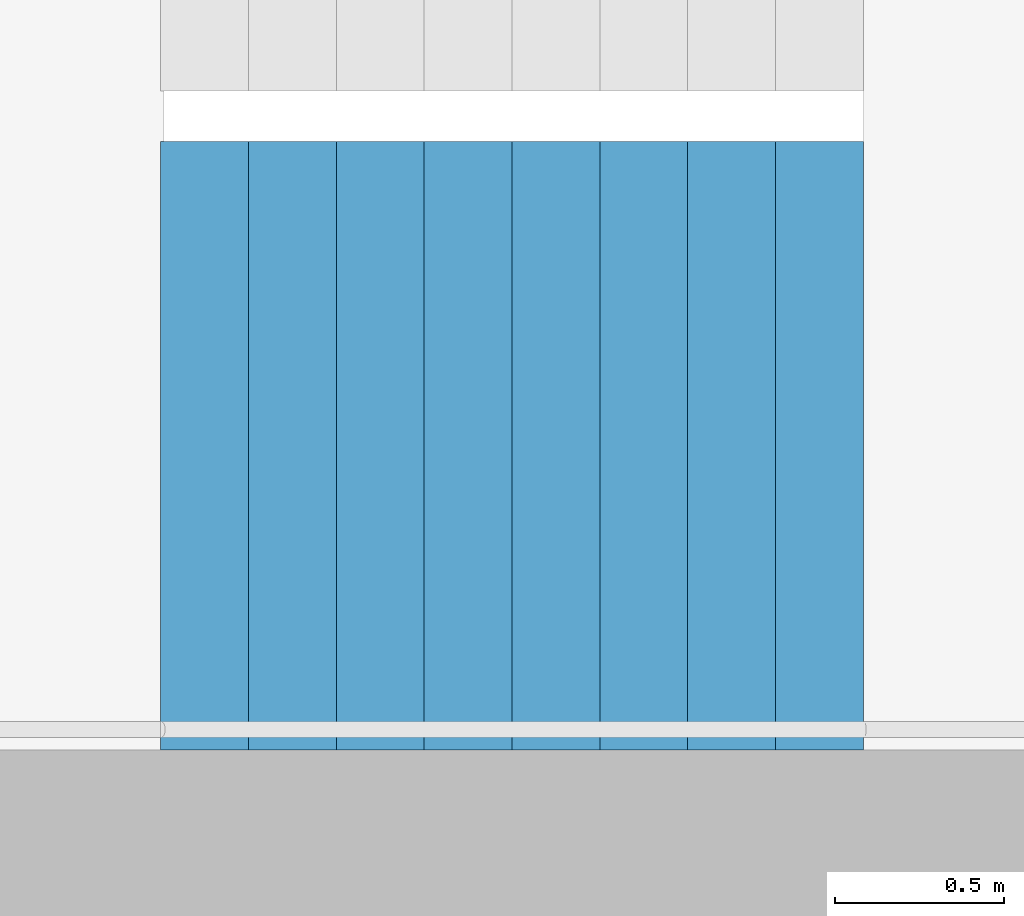
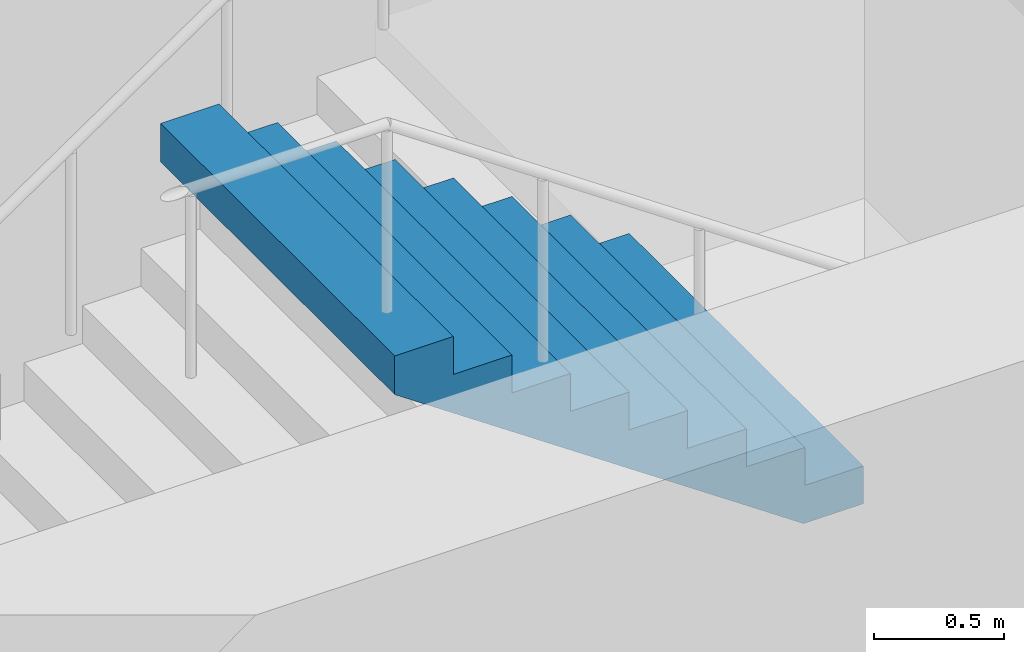
# One storey, part 23 of 27: 1 stair flight, 1 element without a shape of its own.
"""IFC4 building model written with IfcOpenShell, lengths in metres."""

from ifc_helpers import new_model, si_unit, direction, frame, origin, place, context, subcontext, project, spatial, triangles, material, type_object, element, aggregate, save


model = new_model("IFC4")

# Units and contexts
model_context = context("Model", 3, precision=1e-05, world=origin(), true_north=direction((0.0, 1.0)))
body_context = subcontext(model_context, "Body", "Model", "MODEL_VIEW")
ifc_project = project(units=[si_unit("LENGTHUNIT", "METRE"), si_unit("AREAUNIT", "SQUARE_METRE"), si_unit("VOLUMEUNIT", "CUBIC_METRE"), si_unit("PLANEANGLEUNIT", "RADIAN"), si_unit("MASSUNIT", "GRAM", prefix="KILO")], contexts=[model_context])

# Site, building, storey
site_placement = place(None, origin())
site = spatial("IfcSite", under=ifc_project, at=site_placement, CompositionType="ELEMENT")
building_placement = place(site_placement, origin())
building = spatial("IfcBuilding", under=site, at=building_placement, Name="Hakoniwa Tower and Hamabe Station Hall", CompositionType="ELEMENT")
storey_placement = place(building_placement, frame((0.0, 0.0, 261.39990234375)))
storey = spatial("IfcBuildingStorey", under=building, at=storey_placement, Name="L74", CompositionType="ELEMENT", Elevation=261.39990234375)

# Stair, stair flight
ifc_material_1 = material(Name="Concrete C40", Category="concrete")
stair_type = type_object("IfcStairType", Name="ESCAPE STAIR 1800", PredefinedType="HALF_TURN_STAIR", material=ifc_material_1)
stair_placement = place(storey_placement, origin())
stair = element("IfcStair", 1, at=stair_placement, inside=storey, type_object=stair_type, Name="Escape stair ST-4 L74", PredefinedType="HALF_TURN_STAIR")
ifc_material_2 = material(Name="Concrete C40", Category="concrete")
stair_flight_type = type_object("IfcStairFlightType", Name="STAIR FLIGHT 1800", PredefinedType="STRAIGHT", material=ifc_material_2)
stair_flight_placement = place(storey_placement, frame((25.47998046875, -6.60009765625, 1.60009765625), z_axis=(0.0, 0.0, 1.0), x_axis=(-1.0, 0.0, 0.0)))
stair_flight = element("IfcStairFlight", 2, at=stair_flight_placement, type_object=stair_flight_type, Name="ST-4 flight 2", NumberOfRisers=9, NumberOfTreads=8, PredefinedType="STRAIGHT", RiserHeight=0.177777778, TreadLength=0.26, context=body_context, shape_type="Tessellation", body=[
    triangles([(0.0, 0.89990234375, 0.0), (0.260009765625, 0.89990234375, 0.0), (0.265625, 0.89990234375, 0.0), (0.52001953125, 0.89990234375, 0.174072265625), (0.780029296875, 0.89990234375, 0.351806640625), (1.0400390625, 0.89990234375, 0.529541015625), (1.300048828125, 0.89990234375, 0.707275390625), (1.56005859375, 0.89990234375, 0.885009765625), (1.820068359375, 0.89990234375, 1.062744140625), (2.080078125, 0.89990234375, 1.24072265625), (2.080078125, 0.89990234375, 1.422119140625), (1.820068359375, 0.89990234375, 1.422119140625), (1.820068359375, 0.89990234375, 1.244384765625), (1.56005859375, 0.89990234375, 1.244384765625), (1.56005859375, 0.89990234375, 1.066650390625), (1.300048828125, 0.89990234375, 1.066650390625), (1.300048828125, 0.89990234375, 0.888916015625), (1.0400390625, 0.89990234375, 0.888916015625), (1.0400390625, 0.89990234375, 0.711181640625), (0.780029296875, 0.89990234375, 0.711181640625), (0.780029296875, 0.89990234375, 0.533447265625), (0.52001953125, 0.89990234375, 0.533447265625), (0.52001953125, 0.89990234375, 0.35546875), (0.265625, 0.89990234375, 0.35546875), (0.260009765625, 0.89990234375, 0.35546875), (0.260009765625, 0.89990234375, 0.177734375), (0.0, 0.89990234375, 0.177734375), (0.0, 0.06005859375, 0.0), (0.260009765625, 0.06005859375, 0.0), (0.265625, 0.06005859375, 0.0), (0.52001953125, 0.06005859375, 0.174072265625), (0.780029296875, 0.06005859375, 0.351806640625), (1.0400390625, 0.06005859375, 0.529541015625), (1.300048828125, 0.06005859375, 0.707275390625), (1.56005859375, 0.06005859375, 0.885009765625), (1.820068359375, 0.06005859375, 1.062744140625), (2.080078125, 0.06005859375, 1.24072265625), (2.080078125, 0.06005859375, 1.422119140625), (1.820068359375, 0.06005859375, 1.422119140625), (1.820068359375, 0.06005859375, 1.244384765625), (1.56005859375, 0.06005859375, 1.244384765625), (1.56005859375, 0.06005859375, 1.066650390625), (1.300048828125, 0.06005859375, 1.066650390625), (1.300048828125, 0.06005859375, 0.888916015625), (1.0400390625, 0.06005859375, 0.888916015625), (1.0400390625, 0.06005859375, 0.711181640625), (0.780029296875, 0.06005859375, 0.711181640625), (0.780029296875, 0.06005859375, 0.533447265625), (0.52001953125, 0.06005859375, 0.533447265625), (0.52001953125, 0.06005859375, 0.35546875), (0.265625, 0.06005859375, 0.35546875), (0.260009765625, 0.06005859375, 0.35546875), (0.260009765625, 0.06005859375, 0.177734375), (0.0, 0.06005859375, 0.177734375), (0.0, 0.04296875, 0.0), (0.260009765625, 0.04296875, 0.0), (0.265625, 0.04296875, 0.0), (0.52001953125, 0.04296875, 0.174072265625), (0.780029296875, 0.04296875, 0.351806640625), (1.0400390625, 0.04296875, 0.529541015625), (1.300048828125, 0.04296875, 0.707275390625), (1.56005859375, 0.04296875, 0.885009765625), (1.820068359375, 0.04296875, 1.062744140625), (2.080078125, 0.04296875, 1.24072265625), (2.080078125, 0.04296875, 1.422119140625), (1.820068359375, 0.04296875, 1.422119140625), (1.820068359375, 0.04296875, 1.244384765625), (1.56005859375, 0.04296875, 1.244384765625), (1.56005859375, 0.04296875, 1.066650390625), (1.300048828125, 0.04296875, 1.066650390625), (1.300048828125, 0.04296875, 0.888916015625), (1.0400390625, 0.04296875, 0.888916015625), (1.0400390625, 0.04296875, 0.711181640625), (0.780029296875, 0.04296875, 0.711181640625), (0.780029296875, 0.04296875, 0.533447265625), (0.52001953125, 0.04296875, 0.533447265625), (0.52001953125, 0.04296875, 0.35546875), (0.265625, 0.04296875, 0.35546875), (0.260009765625, 0.04296875, 0.35546875), (0.260009765625, 0.04296875, 0.177734375), (0.0, 0.04296875, 0.177734375), (0.0, 0.025634765625, 0.0), (0.260009765625, 0.025634765625, 0.0), (0.265625, 0.025634765625, 0.0), (0.52001953125, 0.025634765625, 0.174072265625), (0.780029296875, 0.025634765625, 0.351806640625), (1.0400390625, 0.025634765625, 0.529541015625), (1.300048828125, 0.025634765625, 0.707275390625), (1.56005859375, 0.025634765625, 0.885009765625), (1.820068359375, 0.025634765625, 1.062744140625), (2.080078125, 0.025634765625, 1.24072265625), (2.080078125, 0.025634765625, 1.422119140625), (1.820068359375, 0.025634765625, 1.422119140625), (1.820068359375, 0.025634765625, 1.244384765625), (1.56005859375, 0.025634765625, 1.244384765625), (1.56005859375, 0.025634765625, 1.066650390625), (1.300048828125, 0.025634765625, 1.066650390625), (1.300048828125, 0.025634765625, 0.888916015625), (1.0400390625, 0.025634765625, 0.888916015625), (1.0400390625, 0.025634765625, 0.711181640625), (0.780029296875, 0.025634765625, 0.711181640625), (0.780029296875, 0.025634765625, 0.533447265625), (0.52001953125, 0.025634765625, 0.533447265625), (0.52001953125, 0.025634765625, 0.35546875), (0.265625, 0.025634765625, 0.35546875), (0.260009765625, 0.025634765625, 0.35546875), (0.260009765625, 0.025634765625, 0.177734375), (0.0, 0.025634765625, 0.177734375), (0.0, 0.008544921875, 0.0), (0.260009765625, 0.008544921875, 0.0), (0.265625, 0.008544921875, 0.0), (0.52001953125, 0.008544921875, 0.174072265625), (0.780029296875, 0.008544921875, 0.351806640625), (1.0400390625, 0.008544921875, 0.529541015625), (1.300048828125, 0.008544921875, 0.707275390625), (1.56005859375, 0.008544921875, 0.885009765625), (1.820068359375, 0.008544921875, 1.062744140625), (2.080078125, 0.008544921875, 1.24072265625), (2.080078125, 0.008544921875, 1.422119140625), (1.820068359375, 0.008544921875, 1.422119140625), (1.820068359375, 0.008544921875, 1.244384765625), (1.56005859375, 0.008544921875, 1.244384765625), (1.56005859375, 0.008544921875, 1.066650390625), (1.300048828125, 0.008544921875, 1.066650390625), (1.300048828125, 0.008544921875, 0.888916015625), (1.0400390625, 0.008544921875, 0.888916015625), (1.0400390625, 0.008544921875, 0.711181640625), (0.780029296875, 0.008544921875, 0.711181640625), (0.780029296875, 0.008544921875, 0.533447265625), (0.52001953125, 0.008544921875, 0.533447265625), (0.52001953125, 0.008544921875, 0.35546875), (0.265625, 0.008544921875, 0.35546875), (0.260009765625, 0.008544921875, 0.35546875), (0.260009765625, 0.008544921875, 0.177734375), (0.0, 0.008544921875, 0.177734375), (0.0, -0.008544921875, 0.0), (0.260009765625, -0.008544921875, 0.0), (0.265625, -0.008544921875, 0.0), (0.52001953125, -0.008544921875, 0.174072265625), (0.780029296875, -0.008544921875, 0.351806640625), (1.0400390625, -0.008544921875, 0.529541015625), (1.300048828125, -0.008544921875, 0.707275390625), (1.56005859375, -0.008544921875, 0.885009765625), (1.820068359375, -0.008544921875, 1.062744140625), (2.080078125, -0.008544921875, 1.24072265625), (2.080078125, -0.008544921875, 1.422119140625), (1.820068359375, -0.008544921875, 1.422119140625), (1.820068359375, -0.008544921875, 1.244384765625), (1.56005859375, -0.008544921875, 1.244384765625), (1.56005859375, -0.008544921875, 1.066650390625), (1.300048828125, -0.008544921875, 1.066650390625), (1.300048828125, -0.008544921875, 0.888916015625), (1.0400390625, -0.008544921875, 0.888916015625), (1.0400390625, -0.008544921875, 0.711181640625), (0.780029296875, -0.008544921875, 0.711181640625), (0.780029296875, -0.008544921875, 0.533447265625), (0.52001953125, -0.008544921875, 0.533447265625), (0.52001953125, -0.008544921875, 0.35546875), (0.265625, -0.008544921875, 0.35546875), (0.260009765625, -0.008544921875, 0.35546875), (0.260009765625, -0.008544921875, 0.177734375), (0.0, -0.008544921875, 0.177734375), (0.0, -0.025634765625, 0.0), (0.260009765625, -0.025634765625, 0.0), (0.265625, -0.025634765625, 0.0), (0.52001953125, -0.025634765625, 0.174072265625), (0.780029296875, -0.025634765625, 0.351806640625), (1.0400390625, -0.025634765625, 0.529541015625), (1.300048828125, -0.025634765625, 0.707275390625), (1.56005859375, -0.025634765625, 0.885009765625), (1.820068359375, -0.025634765625, 1.062744140625), (2.080078125, -0.025634765625, 1.24072265625), (2.080078125, -0.025634765625, 1.422119140625), (1.820068359375, -0.025634765625, 1.422119140625), (1.820068359375, -0.025634765625, 1.244384765625), (1.56005859375, -0.025634765625, 1.244384765625), (1.56005859375, -0.025634765625, 1.066650390625), (1.300048828125, -0.025634765625, 1.066650390625), (1.300048828125, -0.025634765625, 0.888916015625), (1.0400390625, -0.025634765625, 0.888916015625), (1.0400390625, -0.025634765625, 0.711181640625), (0.780029296875, -0.025634765625, 0.711181640625), (0.780029296875, -0.025634765625, 0.533447265625), (0.52001953125, -0.025634765625, 0.533447265625), (0.52001953125, -0.025634765625, 0.35546875), (0.265625, -0.025634765625, 0.35546875), (0.260009765625, -0.025634765625, 0.35546875), (0.260009765625, -0.025634765625, 0.177734375), (0.0, -0.025634765625, 0.177734375), (0.0, -0.04296875, 0.0), (0.260009765625, -0.04296875, 0.0), (0.265625, -0.04296875, 0.0), (0.52001953125, -0.04296875, 0.174072265625), (0.780029296875, -0.04296875, 0.351806640625), (1.0400390625, -0.04296875, 0.529541015625), (1.300048828125, -0.04296875, 0.707275390625), (1.56005859375, -0.04296875, 0.885009765625), (1.820068359375, -0.04296875, 1.062744140625), (2.080078125, -0.04296875, 1.24072265625), (2.080078125, -0.04296875, 1.422119140625), (1.820068359375, -0.04296875, 1.422119140625), (1.820068359375, -0.04296875, 1.244384765625), (1.56005859375, -0.04296875, 1.244384765625), (1.56005859375, -0.04296875, 1.066650390625), (1.300048828125, -0.04296875, 1.066650390625), (1.300048828125, -0.04296875, 0.888916015625), (1.0400390625, -0.04296875, 0.888916015625), (1.0400390625, -0.04296875, 0.711181640625), (0.780029296875, -0.04296875, 0.711181640625), (0.780029296875, -0.04296875, 0.533447265625), (0.52001953125, -0.04296875, 0.533447265625), (0.52001953125, -0.04296875, 0.35546875), (0.265625, -0.04296875, 0.35546875), (0.260009765625, -0.04296875, 0.35546875), (0.260009765625, -0.04296875, 0.177734375), (0.0, -0.04296875, 0.177734375), (0.0, -0.06005859375, 0.0), (0.260009765625, -0.06005859375, 0.0), (0.265625, -0.06005859375, 0.0), (0.52001953125, -0.06005859375, 0.174072265625), (0.780029296875, -0.06005859375, 0.351806640625), (1.0400390625, -0.06005859375, 0.529541015625), (1.300048828125, -0.06005859375, 0.707275390625), (1.56005859375, -0.06005859375, 0.885009765625), (1.820068359375, -0.06005859375, 1.062744140625), (2.080078125, -0.06005859375, 1.24072265625), (2.080078125, -0.06005859375, 1.422119140625), (1.820068359375, -0.06005859375, 1.422119140625), (1.820068359375, -0.06005859375, 1.244384765625), (1.56005859375, -0.06005859375, 1.244384765625), (1.56005859375, -0.06005859375, 1.066650390625), (1.300048828125, -0.06005859375, 1.066650390625), (1.300048828125, -0.06005859375, 0.888916015625), (1.0400390625, -0.06005859375, 0.888916015625), (1.0400390625, -0.06005859375, 0.711181640625), (0.780029296875, -0.06005859375, 0.711181640625), (0.780029296875, -0.06005859375, 0.533447265625), (0.52001953125, -0.06005859375, 0.533447265625), (0.52001953125, -0.06005859375, 0.35546875), (0.265625, -0.06005859375, 0.35546875), (0.260009765625, -0.06005859375, 0.35546875), (0.260009765625, -0.06005859375, 0.177734375), (0.0, -0.06005859375, 0.177734375), (0.0, -0.89990234375, 0.0), (0.260009765625, -0.89990234375, 0.0), (0.265625, -0.89990234375, 0.0), (0.52001953125, -0.89990234375, 0.174072265625), (0.780029296875, -0.89990234375, 0.351806640625), (1.0400390625, -0.89990234375, 0.529541015625), (1.300048828125, -0.89990234375, 0.707275390625), (1.56005859375, -0.89990234375, 0.885009765625), (1.820068359375, -0.89990234375, 1.062744140625), (2.080078125, -0.89990234375, 1.24072265625), (2.080078125, -0.89990234375, 1.422119140625), (1.820068359375, -0.89990234375, 1.422119140625), (1.820068359375, -0.89990234375, 1.244384765625), (1.56005859375, -0.89990234375, 1.244384765625), (1.56005859375, -0.89990234375, 1.066650390625), (1.300048828125, -0.89990234375, 1.066650390625), (1.300048828125, -0.89990234375, 0.888916015625), (1.0400390625, -0.89990234375, 0.888916015625), (1.0400390625, -0.89990234375, 0.711181640625), (0.780029296875, -0.89990234375, 0.711181640625), (0.780029296875, -0.89990234375, 0.533447265625), (0.52001953125, -0.89990234375, 0.533447265625), (0.52001953125, -0.89990234375, 0.35546875), (0.265625, -0.89990234375, 0.35546875), (0.260009765625, -0.89990234375, 0.35546875), (0.260009765625, -0.89990234375, 0.177734375), (0.0, -0.89990234375, 0.177734375)], [[2, 27, 26], [245, 269, 270], [2, 1, 27], [245, 270, 244], [3, 25, 24], [246, 267, 268], [3, 26, 25], [246, 268, 269], [3, 2, 26], [246, 269, 245], [4, 24, 23], [247, 266, 267], [4, 3, 24], [247, 267, 246], [5, 22, 21], [248, 264, 265], [5, 23, 22], [248, 265, 266], [5, 4, 23], [248, 266, 247], [6, 20, 19], [249, 262, 263], [6, 21, 20], [249, 263, 264], [6, 5, 21], [249, 264, 248], [7, 18, 17], [250, 260, 261], [7, 19, 18], [250, 261, 262], [7, 6, 19], [250, 262, 249], [8, 16, 15], [251, 258, 259], [8, 17, 16], [251, 259, 260], [8, 7, 17], [251, 260, 250], [9, 14, 13], [252, 256, 257], [9, 15, 14], [252, 257, 258], [9, 8, 15], [252, 258, 251], [10, 12, 11], [253, 254, 255], [10, 13, 12], [253, 255, 256], [10, 9, 13], [253, 256, 252], [1, 2, 29], [1, 29, 28], [28, 29, 56], [28, 56, 55], [55, 56, 83], [55, 83, 82], [82, 83, 110], [82, 110, 109], [109, 110, 137], [109, 137, 136], [136, 137, 164], [136, 164, 163], [163, 164, 191], [163, 191, 190], [190, 191, 218], [190, 218, 217], [217, 218, 245], [217, 245, 244], [2, 3, 30], [2, 30, 29], [29, 30, 57], [29, 57, 56], [56, 57, 84], [56, 84, 83], [83, 84, 111], [83, 111, 110], [110, 111, 138], [110, 138, 137], [137, 138, 165], [137, 165, 164], [164, 165, 192], [164, 192, 191], [191, 192, 219], [191, 219, 218], [218, 219, 246], [218, 246, 245], [3, 4, 31], [3, 31, 30], [30, 31, 58], [30, 58, 57], [57, 58, 85], [57, 85, 84], [84, 85, 112], [84, 112, 111], [111, 112, 139], [111, 139, 138], [138, 139, 166], [138, 166, 165], [165, 166, 193], [165, 193, 192], [192, 193, 220], [192, 220, 219], [219, 220, 247], [219, 247, 246], [4, 5, 32], [4, 32, 31], [31, 32, 59], [31, 59, 58], [58, 59, 86], [58, 86, 85], [85, 86, 113], [85, 113, 112], [112, 113, 140], [112, 140, 139], [139, 140, 167], [139, 167, 166], [166, 167, 194], [166, 194, 193], [193, 194, 221], [193, 221, 220], [220, 221, 248], [220, 248, 247], [5, 6, 33], [5, 33, 32], [32, 33, 60], [32, 60, 59], [59, 60, 87], [59, 87, 86], [86, 87, 114], [86, 114, 113], [113, 114, 141], [113, 141, 140], [140, 141, 168], [140, 168, 167], [167, 168, 195], [167, 195, 194], [194, 195, 222], [194, 222, 221], [221, 222, 249], [221, 249, 248], [6, 7, 34], [6, 34, 33], [33, 34, 61], [33, 61, 60], [60, 61, 88], [60, 88, 87], [87, 88, 115], [87, 115, 114], [114, 115, 142], [114, 142, 141], [141, 142, 169], [141, 169, 168], [168, 169, 196], [168, 196, 195], [195, 196, 223], [195, 223, 222], [222, 223, 250], [222, 250, 249], [7, 8, 35], [7, 35, 34], [34, 35, 62], [34, 62, 61], [61, 62, 89], [61, 89, 88], [88, 89, 116], [88, 116, 115], [115, 116, 143], [115, 143, 142], [142, 143, 170], [142, 170, 169], [169, 170, 197], [169, 197, 196], [196, 197, 224], [196, 224, 223], [223, 224, 251], [223, 251, 250], [8, 9, 36], [8, 36, 35], [35, 36, 63], [35, 63, 62], [62, 63, 90], [62, 90, 89], [89, 90, 117], [89, 117, 116], [116, 117, 144], [116, 144, 143], [143, 144, 171], [143, 171, 170], [170, 171, 198], [170, 198, 197], [197, 198, 225], [197, 225, 224], [224, 225, 252], [224, 252, 251], [9, 10, 37], [9, 37, 36], [36, 37, 64], [36, 64, 63], [63, 64, 91], [63, 91, 90], [90, 91, 118], [90, 118, 117], [117, 118, 145], [117, 145, 144], [144, 145, 172], [144, 172, 171], [171, 172, 199], [171, 199, 198], [198, 199, 226], [198, 226, 225], [225, 226, 253], [225, 253, 252], [10, 11, 38], [10, 38, 37], [37, 38, 65], [37, 65, 64], [64, 65, 92], [64, 92, 91], [91, 92, 119], [91, 119, 118], [118, 119, 146], [118, 146, 145], [145, 146, 173], [145, 173, 172], [172, 173, 200], [172, 200, 199], [199, 200, 227], [199, 227, 226], [226, 227, 254], [226, 254, 253], [11, 12, 39], [11, 39, 38], [38, 39, 66], [38, 66, 65], [65, 66, 93], [65, 93, 92], [92, 93, 120], [92, 120, 119], [119, 120, 147], [119, 147, 146], [146, 147, 174], [146, 174, 173], [173, 174, 201], [173, 201, 200], [200, 201, 228], [200, 228, 227], [227, 228, 255], [227, 255, 254], [12, 13, 40], [12, 40, 39], [39, 40, 67], [39, 67, 66], [66, 67, 94], [66, 94, 93], [93, 94, 121], [93, 121, 120], [120, 121, 148], [120, 148, 147], [147, 148, 175], [147, 175, 174], [174, 175, 202], [174, 202, 201], [201, 202, 229], [201, 229, 228], [228, 229, 256], [228, 256, 255], [13, 14, 41], [13, 41, 40], [40, 41, 68], [40, 68, 67], [67, 68, 95], [67, 95, 94], [94, 95, 122], [94, 122, 121], [121, 122, 149], [121, 149, 148], [148, 149, 176], [148, 176, 175], [175, 176, 203], [175, 203, 202], [202, 203, 230], [202, 230, 229], [229, 230, 257], [229, 257, 256], [14, 15, 42], [14, 42, 41], [41, 42, 69], [41, 69, 68], [68, 69, 96], [68, 96, 95], [95, 96, 123], [95, 123, 122], [122, 123, 150], [122, 150, 149], [149, 150, 177], [149, 177, 176], [176, 177, 204], [176, 204, 203], [203, 204, 231], [203, 231, 230], [230, 231, 258], [230, 258, 257], [15, 16, 43], [15, 43, 42], [42, 43, 70], [42, 70, 69], [69, 70, 97], [69, 97, 96], [96, 97, 124], [96, 124, 123], [123, 124, 151], [123, 151, 150], [150, 151, 178], [150, 178, 177], [177, 178, 205], [177, 205, 204], [204, 205, 232], [204, 232, 231], [231, 232, 259], [231, 259, 258], [16, 17, 44], [16, 44, 43], [43, 44, 71], [43, 71, 70], [70, 71, 98], [70, 98, 97], [97, 98, 125], [97, 125, 124], [124, 125, 152], [124, 152, 151], [151, 152, 179], [151, 179, 178], [178, 179, 206], [178, 206, 205], [205, 206, 233], [205, 233, 232], [232, 233, 260], [232, 260, 259], [17, 18, 45], [17, 45, 44], [44, 45, 72], [44, 72, 71], [71, 72, 99], [71, 99, 98], [98, 99, 126], [98, 126, 125], [125, 126, 153], [125, 153, 152], [152, 153, 180], [152, 180, 179], [179, 180, 207], [179, 207, 206], [206, 207, 234], [206, 234, 233], [233, 234, 261], [233, 261, 260], [18, 19, 46], [18, 46, 45], [45, 46, 73], [45, 73, 72], [72, 73, 100], [72, 100, 99], [99, 100, 127], [99, 127, 126], [126, 127, 154], [126, 154, 153], [153, 154, 181], [153, 181, 180], [180, 181, 208], [180, 208, 207], [207, 208, 235], [207, 235, 234], [234, 235, 262], [234, 262, 261], [19, 20, 47], [19, 47, 46], [46, 47, 74], [46, 74, 73], [73, 74, 101], [73, 101, 100], [100, 101, 128], [100, 128, 127], [127, 128, 155], [127, 155, 154], [154, 155, 182], [154, 182, 181], [181, 182, 209], [181, 209, 208], [208, 209, 236], [208, 236, 235], [235, 236, 263], [235, 263, 262], [20, 21, 48], [20, 48, 47], [47, 48, 75], [47, 75, 74], [74, 75, 102], [74, 102, 101], [101, 102, 129], [101, 129, 128], [128, 129, 156], [128, 156, 155], [155, 156, 183], [155, 183, 182], [182, 183, 210], [182, 210, 209], [209, 210, 237], [209, 237, 236], [236, 237, 264], [236, 264, 263], [21, 22, 49], [21, 49, 48], [48, 49, 76], [48, 76, 75], [75, 76, 103], [75, 103, 102], [102, 103, 130], [102, 130, 129], [129, 130, 157], [129, 157, 156], [156, 157, 184], [156, 184, 183], [183, 184, 211], [183, 211, 210], [210, 211, 238], [210, 238, 237], [237, 238, 265], [237, 265, 264], [22, 23, 50], [22, 50, 49], [49, 50, 77], [49, 77, 76], [76, 77, 104], [76, 104, 103], [103, 104, 131], [103, 131, 130], [130, 131, 158], [130, 158, 157], [157, 158, 185], [157, 185, 184], [184, 185, 212], [184, 212, 211], [211, 212, 239], [211, 239, 238], [238, 239, 266], [238, 266, 265], [23, 24, 51], [23, 51, 50], [50, 51, 78], [50, 78, 77], [77, 78, 105], [77, 105, 104], [104, 105, 132], [104, 132, 131], [131, 132, 159], [131, 159, 158], [158, 159, 186], [158, 186, 185], [185, 186, 213], [185, 213, 212], [212, 213, 240], [212, 240, 239], [239, 240, 267], [239, 267, 266], [24, 25, 52], [24, 52, 51], [51, 52, 79], [51, 79, 78], [78, 79, 106], [78, 106, 105], [105, 106, 133], [105, 133, 132], [132, 133, 160], [132, 160, 159], [159, 160, 187], [159, 187, 186], [186, 187, 214], [186, 214, 213], [213, 214, 241], [213, 241, 240], [240, 241, 268], [240, 268, 267], [25, 26, 53], [25, 53, 52], [52, 53, 80], [52, 80, 79], [79, 80, 107], [79, 107, 106], [106, 107, 134], [106, 134, 133], [133, 134, 161], [133, 161, 160], [160, 161, 188], [160, 188, 187], [187, 188, 215], [187, 215, 214], [214, 215, 242], [214, 242, 241], [241, 242, 269], [241, 269, 268], [26, 27, 54], [26, 54, 53], [53, 54, 81], [53, 81, 80], [80, 81, 108], [80, 108, 107], [107, 108, 135], [107, 135, 134], [134, 135, 162], [134, 162, 161], [161, 162, 189], [161, 189, 188], [188, 189, 216], [188, 216, 215], [215, 216, 243], [215, 243, 242], [242, 243, 270], [242, 270, 269], [27, 1, 28], [27, 28, 54], [54, 28, 55], [54, 55, 81], [81, 55, 82], [81, 82, 108], [108, 82, 109], [108, 109, 135], [135, 109, 136], [135, 136, 162], [162, 136, 163], [162, 163, 189], [189, 163, 190], [189, 190, 216], [216, 190, 217], [216, 217, 243], [243, 217, 244], [243, 244, 270]], closed=True),
])
aggregate(stair, [stair_flight])

save(model, "model.ifc")
